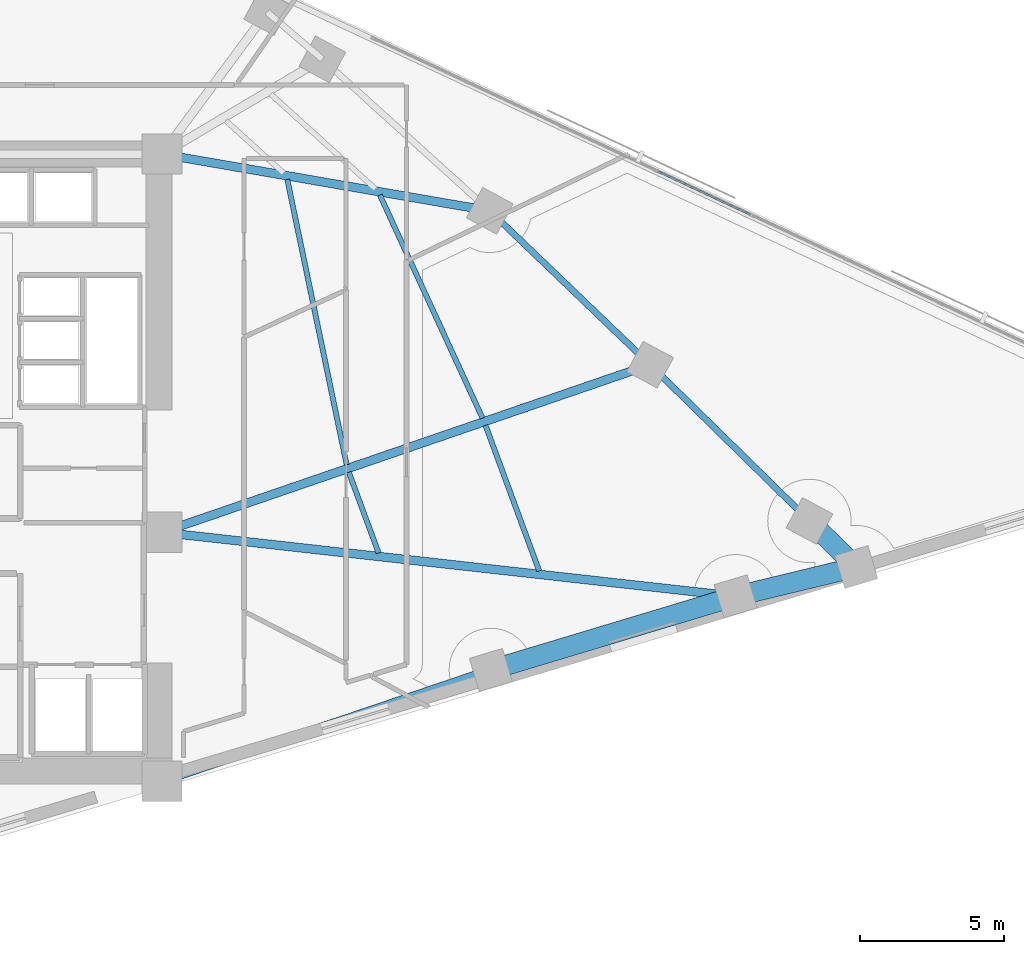
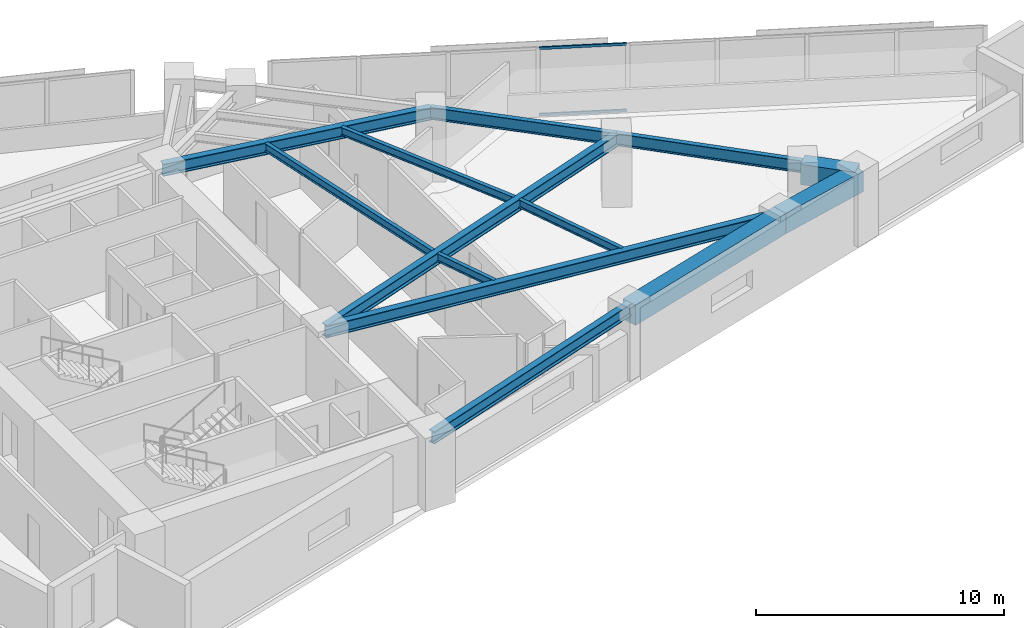
# One storey, part 3 of 16: 13 beams, 2 members, 1 element without a shape of its own.
"""IFC4 building model written with IfcOpenShell, lengths in metres."""

from ifc_helpers import new_model, si_unit, direction, frame, origin, origin_2d, place, context, subcontext, project, spatial, rectangle, hollow_rectangle, i_section, extrude, material, material_profile, profile_set, type_object, element, aggregate, save


model = new_model("IFC4")

# Units and contexts
model_context = context("Model", 3, precision=1e-05, world=origin(), true_north=direction((0.0, 1.0)))
body_context = subcontext(model_context, "Body", "Model", "MODEL_VIEW")
ifc_project = project(units=[si_unit("LENGTHUNIT", "METRE"), si_unit("AREAUNIT", "SQUARE_METRE"), si_unit("VOLUMEUNIT", "CUBIC_METRE"), si_unit("PLANEANGLEUNIT", "RADIAN"), si_unit("MASSUNIT", "GRAM", prefix="KILO")], contexts=[model_context])

# Site, building, storey
site_placement = place(None, origin())
site = spatial("IfcSite", under=ifc_project, at=site_placement, CompositionType="ELEMENT")
building_placement = place(site_placement, origin())
building = spatial("IfcBuilding", under=site, at=building_placement, Name="Narakoshi Arena Tower", CompositionType="ELEMENT")
storey_placement = place(building_placement, frame((0.0, 0.0, 146.699951171875)))
storey = spatial("IfcBuildingStorey", under=building, at=storey_placement, Name="L39", CompositionType="ELEMENT", Elevation=146.699951171875)

# Beams
ifc_material_1 = material(Name="Concrete C60/75", Category="concrete")
ifc_material_profile_1 = material_profile(ifc_material_1, rectangle(XDim=0.699951171875, YDim=1.0, at=origin_2d()), Name="RCB700x1000")
ifc_profile_set_1 = profile_set([ifc_material_profile_1], Name="Concrete C60/75")
beam_type_1 = type_object("IfcBeamType", Name="BM-CPL-1000", PredefinedType="BEAM", material=ifc_profile_set_1)
beam_1_placement = place(storey_placement, frame((96.984619140625, 38.565185546875, 2.840087890625), z_axis=(0.957568042752, 0.288207292585, 0.0), x_axis=(-0.288207292585, 0.957568042752, 0.0)))
element("IfcBeam", 1, at=beam_1_placement, inside=storey, type_object=beam_type_1, Name="L39 Perimeter Edge Girder 01", PredefinedType="BEAM", context=body_context, shape_type="SweptSolid", body=[
    extrude(rectangle(XDim=0.699951171875, YDim=1.0, at=origin_2d()), origin(), (0.0, 0.0, 1.0), 8.885986328125),
])
beam_2_placement = place(storey_placement, frame((105.49365234375, 41.126220703125, 2.840087890625), z_axis=(0.97211420724, 0.234507927545, 0.0), x_axis=(-0.234507927545, 0.97211420724, 0.0)))
element("IfcBeam", 2, at=beam_2_placement, inside=storey, type_object=beam_type_1, Name="L39 Perimeter Edge Girder 02", PredefinedType="BEAM", context=body_context, shape_type="SweptSolid", body=[
    extrude(rectangle(XDim=0.699951171875, YDim=1.0, at=origin_2d()), origin(), (0.0, 0.0, 1.0), 4.3193359375),
])
beam_3_placement = place(storey_placement, frame((109.692626953125, 42.13916015625, 2.840087890625), z_axis=(-0.71252416991, 0.701647566299, 0.0), x_axis=(-0.701647566299, -0.71252416991, 0.0)))
element("IfcBeam", 3, at=beam_3_placement, inside=storey, type_object=beam_type_1, Name="L39 Perimeter Edge Girder 03", PredefinedType="BEAM", context=body_context, shape_type="SweptSolid", body=[
    extrude(rectangle(XDim=0.699951171875, YDim=1.0, at=origin_2d()), origin(), (0.0, 0.0, 1.0), 2.28955078125),
])
ifc_material_2 = material(Name="Structural steel S355J2", Category="steel")
ifc_material_profile_2 = material_profile(ifc_material_2, i_section(OverallWidth=0.219970703125, OverallDepth=0.60009765625, WebThickness=0.011962890625, FlangeThickness=0.01904296875, FilletRadius=0.02392578125, at=origin_2d()), Name="IPE600")
ifc_profile_set_2 = profile_set([ifc_material_profile_2], Name="Structural steel S355J2")
beam_type_2 = type_object("IfcBeamType", Name="BM-EDGE-600", PredefinedType="BEAM", material=ifc_profile_set_2)
beam_4_placement = place(storey_placement, frame((108.061279296875, 43.74560546875, 3.0400390625), z_axis=(-0.713870487965, 0.700277749477, 0.0), x_axis=(-0.700277749477, -0.713870487965, 0.0)))
element("IfcBeam", 4, at=beam_4_placement, inside=storey, type_object=beam_type_2, Name="L39 Perimeter Edge Girder 04", PredefinedType="BEAM", context=body_context, shape_type="SweptSolid", body=[
    extrude(i_section(OverallWidth=0.219970703125, OverallDepth=0.60009765625, WebThickness=0.011962890625, FlangeThickness=0.01904296875, FilletRadius=0.02392578125, at=origin_2d()), origin(), (0.0, 0.0, 1.0), 7.75927734375),
])
beam_5_placement = place(storey_placement, frame((102.522216796875, 49.17919921875, 3.0400390625), z_axis=(-0.721767886663, 0.692135187504, 0.0), x_axis=(-0.692135187504, -0.721767886663, 0.0)))
element("IfcBeam", 5, at=beam_5_placement, inside=storey, type_object=beam_type_2, Name="L39 Perimeter Edge Girder 05", PredefinedType="BEAM", context=body_context, shape_type="SweptSolid", body=[
    extrude(i_section(OverallWidth=0.219970703125, OverallDepth=0.60009765625, WebThickness=0.011962890625, FlangeThickness=0.01904296875, FilletRadius=0.02392578125, at=origin_2d()), origin(), (0.0, 0.0, 1.0), 7.72802734375),
])
ifc_material_profile_3 = material_profile(ifc_material_2, i_section(OverallWidth=0.300048828125, OverallDepth=0.60009765625, WebThickness=0.015380859375, FlangeThickness=0.030029296875, FilletRadius=0.027099609375, at=origin_2d()), Name="HE600B")
ifc_profile_set_3 = profile_set([ifc_material_profile_3], Name="Structural steel S355J2")
beam_type_3 = type_object("IfcBeamType", Name="BM-PRI-600", PredefinedType="BEAM", material=ifc_profile_set_3)
beam_6_placement = place(storey_placement, frame((85.550048828125, 34.699951171875, 3.0400390625), z_axis=(0.947339879376, 0.32022984393, 0.0), x_axis=(-0.32022984393, 0.947339879376, 0.0)))
element("IfcBeam", 6, at=beam_6_placement, inside=storey, type_object=beam_type_3, Name="L39 Radial Primary Floor Girder 01", PredefinedType="BEAM", context=body_context, shape_type="SweptSolid", body=[
    extrude(i_section(OverallWidth=0.300048828125, OverallDepth=0.60009765625, WebThickness=0.015380859375, FlangeThickness=0.030029296875, FilletRadius=0.027099609375, at=origin_2d()), origin(), (0.0, 0.0, 1.0), 12.070068359375),
])
beam_7_placement = place(storey_placement, frame((85.550048828125, 43.35009765625, 3.0400390625), z_axis=(0.99384033484, -0.110821427733, 0.0), x_axis=(0.110821427733, 0.99384033484, 0.0)))
element("IfcBeam", 7, at=beam_7_placement, inside=storey, type_object=beam_type_3, Name="L39 Radial Primary Floor Girder 02", PredefinedType="BEAM", context=body_context, shape_type="SweptSolid", body=[
    extrude(i_section(OverallWidth=0.300048828125, OverallDepth=0.60009765625, WebThickness=0.015380859375, FlangeThickness=0.030029296875, FilletRadius=0.027099609375, at=origin_2d()), origin(), (0.0, 0.0, 1.0), 20.067138671875),
])
beam_8_placement = place(storey_placement, frame((85.550048828125, 43.35009765625, 3.0400390625), z_axis=(0.945773611909, 0.324826530653, 0.0), x_axis=(-0.324826530653, 0.945773611909, 0.0)))
element("IfcBeam", 8, at=beam_8_placement, inside=storey, type_object=beam_type_3, Name="L39 Radial Primary Floor Girder 05", PredefinedType="BEAM", context=body_context, shape_type="SweptSolid", body=[
    extrude(i_section(OverallWidth=0.300048828125, OverallDepth=0.60009765625, WebThickness=0.015380859375, FlangeThickness=0.030029296875, FilletRadius=0.027099609375, at=origin_2d()), origin(), (0.0, 0.0, 1.0), 17.9453125),
])
beam_9_placement = place(storey_placement, frame((85.550048828125, 56.5, 3.0400390625), z_axis=(0.985352893735, -0.170527636492, 0.0), x_axis=(0.170527636492, 0.985352893735, 0.0)))
element("IfcBeam", 9, at=beam_9_placement, inside=storey, type_object=beam_type_3, Name="L39 Radial Primary Floor Girder 06", PredefinedType="BEAM", context=body_context, shape_type="SweptSolid", body=[
    extrude(i_section(OverallWidth=0.300048828125, OverallDepth=0.60009765625, WebThickness=0.015380859375, FlangeThickness=0.030029296875, FilletRadius=0.027099609375, at=origin_2d()), origin(), (0.0, 0.0, 1.0), 11.563720703125),
])
ifc_material_profile_4 = material_profile(ifc_material_2, i_section(OverallWidth=0.179931640625, OverallDepth=0.39990234375, WebThickness=0.008544921875, FlangeThickness=0.013427734375, FilletRadius=0.02099609375, at=origin_2d()), Name="IPE400")
ifc_profile_set_4 = profile_set([ifc_material_profile_4], Name="Structural steel S355J2")
beam_type_4 = type_object("IfcBeamType", Name="BM-SEC-400", PredefinedType="JOIST", material=ifc_profile_set_4)
beam_10_placement = place(storey_placement, frame((93.081787109375, 42.631591796875, 3.14013671875), z_axis=(-0.34615532378, 0.938177217704, 0.0), x_axis=(-0.938177217704, -0.34615532378, 0.0)))
element("IfcBeam", 10, at=beam_10_placement, inside=storey, type_object=beam_type_4, Name="L39 Composite Secondary Floor Joist 01", PredefinedType="JOIST", context=body_context, shape_type="SweptSolid", body=[
    extrude(i_section(OverallWidth=0.179931640625, OverallDepth=0.39990234375, WebThickness=0.008544921875, FlangeThickness=0.013427734375, FilletRadius=0.02099609375, at=origin_2d()), origin(), (0.0, 0.0, 1.0), 2.991943359375),
])
beam_11_placement = place(storey_placement, frame((98.666015625, 42.0087890625, 3.14013671875), z_axis=(-0.346149857455, 0.938179234573, 0.0), x_axis=(-0.938179234573, -0.346149857455, 0.0)))
element("IfcBeam", 11, at=beam_11_placement, inside=storey, type_object=beam_type_4, Name="L39 Composite Secondary Floor Joist 02", PredefinedType="JOIST", context=body_context, shape_type="SweptSolid", body=[
    extrude(i_section(OverallWidth=0.179931640625, OverallDepth=0.39990234375, WebThickness=0.008544921875, FlangeThickness=0.013427734375, FilletRadius=0.02099609375, at=origin_2d()), origin(), (0.0, 0.0, 1.0), 5.3955078125),
])
beam_12_placement = place(storey_placement, frame((91.971923828125, 45.697265625, 3.14013671875), z_axis=(-0.20372238745, 0.979028696644, 0.0), x_axis=(-0.979028696644, -0.20372238745, 0.0)))
element("IfcBeam", 12, at=beam_12_placement, inside=storey, type_object=beam_type_4, Name="L39 Composite Secondary Floor Joist 03", PredefinedType="JOIST", context=body_context, shape_type="SweptSolid", body=[
    extrude(i_section(OverallWidth=0.179931640625, OverallDepth=0.39990234375, WebThickness=0.008544921875, FlangeThickness=0.013427734375, FilletRadius=0.02099609375, at=origin_2d()), origin(), (0.0, 0.0, 1.0), 10.133544921875),
])
beam_13_placement = place(storey_placement, frame((96.6953125, 47.320068359375, 3.14013671875), z_axis=(-0.41799340635, 0.908450060404, 0.0), x_axis=(-0.908450060404, -0.41799340635, 0.0)))
element("IfcBeam", 13, at=beam_13_placement, inside=storey, type_object=beam_type_4, Name="L39 Composite Secondary Floor Joist 04", PredefinedType="JOIST", context=body_context, shape_type="SweptSolid", body=[
    extrude(i_section(OverallWidth=0.179931640625, OverallDepth=0.39990234375, WebThickness=0.008544921875, FlangeThickness=0.013427734375, FilletRadius=0.02099609375, at=origin_2d()), origin(), (0.0, 0.0, 1.0), 8.537353515625),
])

# Curtain wall, members
ifc_material_3 = material(Name="Anodised bronze aluminium 6063-T6", Category="aluminium")
curtain_wall_type = type_object("IfcCurtainWallType", Name="CW-HYP-MID", PredefinedType="NOTDEFINED", material=ifc_material_3)
curtain_wall_placement = place(storey_placement, origin())
curtain_wall = element("IfcCurtainWall", 14, at=curtain_wall_placement, inside=storey, type_object=curtain_wall_type, Name="L39 Folded Hypotenuse Curtain Wall 1-1", PredefinedType="NOTDEFINED")
ifc_material_profile_5 = material_profile(ifc_material_3, hollow_rectangle(XDim=0.06494140625, YDim=0.1298828125, WallThickness=0.00390625, OuterFilletRadius=0.0048828125, at=origin_2d()), Name="TRN130x65x4")
ifc_profile_set_5 = profile_set([ifc_material_profile_5], Name="Anodised bronze aluminium 6063-T6")
member_type = type_object("IfcMemberType", Name="MEM-TRN-130", PredefinedType="USERDEFINED", material=ifc_profile_set_5)
member_1_placement = place(storey_placement, frame((106.008056640625, 54.39404296875, 0.032470703125), z_axis=(-0.905863892755, 0.42356889381, 0.0), x_axis=(-0.42356889381, -0.905863892755, 0.0)))
member_1 = element("IfcMember", 15, at=member_1_placement, type_object=member_type, Name="CW-02 transom 5.1", ObjectType="TRANSOM", PredefinedType="USERDEFINED", context=body_context, shape_type="SweptSolid", body=[
    extrude(hollow_rectangle(XDim=0.06494140625, YDim=0.1298828125, WallThickness=0.00390625, OuterFilletRadius=0.0048828125, at=origin_2d()), origin(), (0.0, 0.0, 1.0), 3.55859375),
])
member_2_placement = place(storey_placement, frame((106.008056640625, 54.39404296875, 3.3076171875), z_axis=(-0.905863892755, 0.42356889381, 0.0), x_axis=(-0.42356889381, -0.905863892755, 0.0)))
member_2 = element("IfcMember", 16, at=member_2_placement, type_object=member_type, Name="CW-02 transom 5.2", ObjectType="TRANSOM", PredefinedType="USERDEFINED", context=body_context, shape_type="SweptSolid", body=[
    extrude(hollow_rectangle(XDim=0.06494140625, YDim=0.1298828125, WallThickness=0.00390625, OuterFilletRadius=0.0048828125, at=origin_2d()), origin(), (0.0, 0.0, 1.0), 3.55859375),
])
aggregate(curtain_wall, [member_1, member_2])

save(model, "model.ifc")
